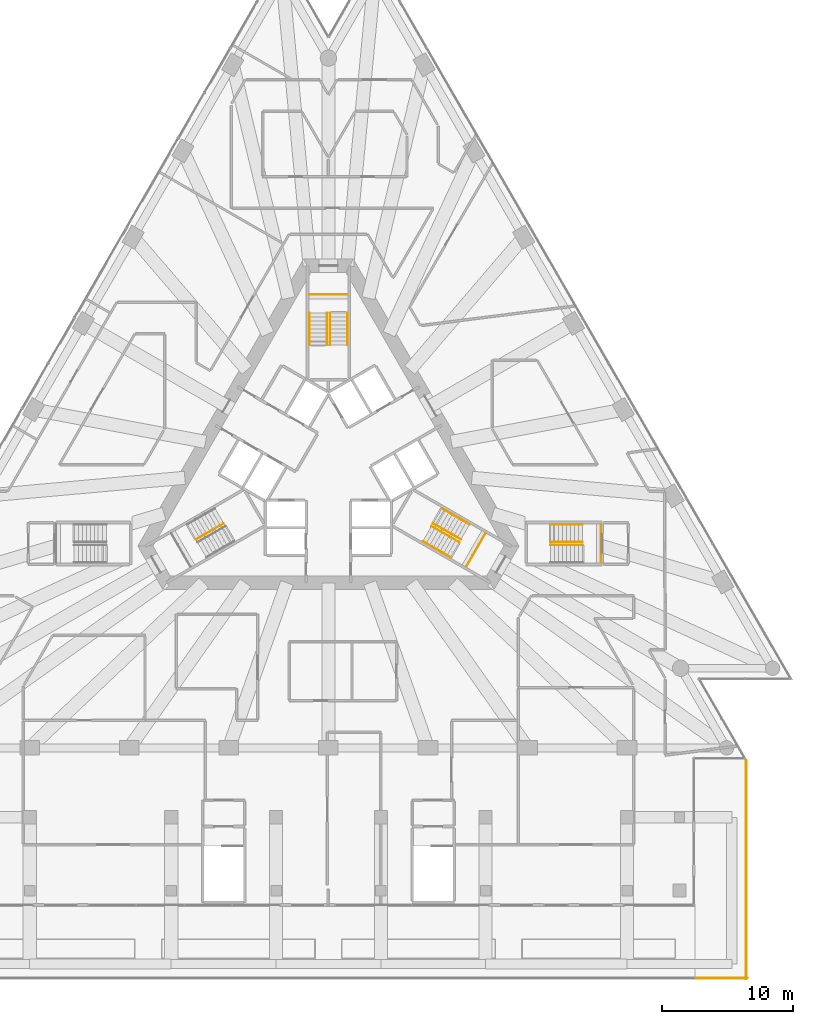
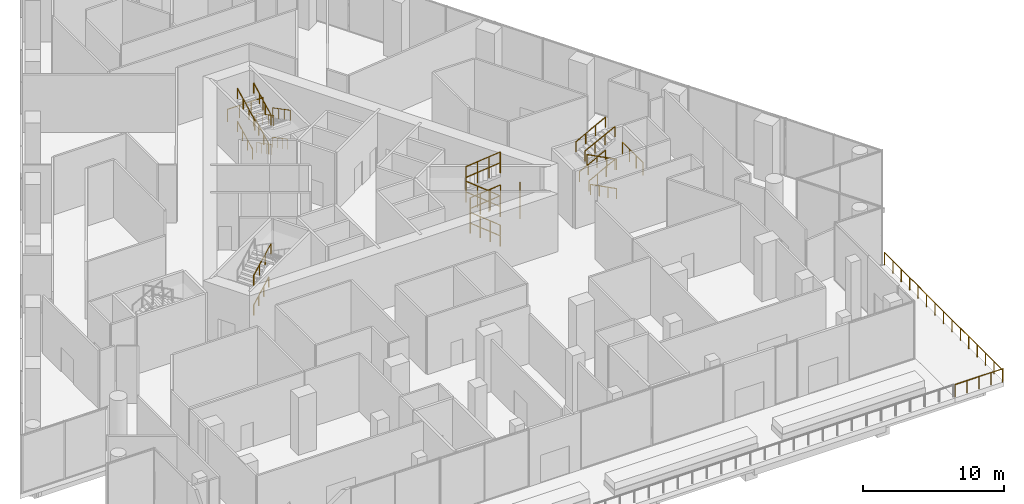
# One storey, part 29 of 29: 29 railings, 4 elements without a shape of their own.
"""IFC4 building model written with IfcOpenShell, lengths in metres."""

from ifc_helpers import new_model, si_unit, direction, frame, origin, origin_2d, place, context, subcontext, project, spatial, circle, extrude, material, type_object, element, aggregate, save


model = new_model("IFC4")

# Units and contexts
model_context = context("Model", 3, precision=1e-05, world=origin(), true_north=direction((0.0, 1.0)))
body_context = subcontext(model_context, "Body", "Model", "MODEL_VIEW")
ifc_project = project(units=[si_unit("LENGTHUNIT", "METRE"), si_unit("AREAUNIT", "SQUARE_METRE"), si_unit("VOLUMEUNIT", "CUBIC_METRE"), si_unit("PLANEANGLEUNIT", "RADIAN"), si_unit("MASSUNIT", "GRAM", prefix="KILO")], contexts=[model_context])

# Site, building, storey
site_placement = place(None, origin())
site = spatial("IfcSite", under=ifc_project, at=site_placement, CompositionType="ELEMENT")
building_placement = place(site_placement, origin())
building = spatial("IfcBuilding", under=site, at=building_placement, Name="Triada Interchange Tower", CompositionType="ELEMENT")
storey_placement = place(building_placement, frame((0.0, 0.0, 19.89990234375)))
storey = spatial("IfcBuildingStorey", under=building, at=storey_placement, Name="L03", CompositionType="ELEMENT", Elevation=19.89990234375)

# Stair, railing
ifc_material_1 = material(Name="Concrete C35/45", Category="concrete")
stair_type = type_object("IfcStairType", Name="HALF TURN STAIR 1400", PredefinedType="HALF_TURN_STAIR", material=ifc_material_1)
stair_1_placement = place(storey_placement, origin())
stair_1 = element("IfcStair", 1, at=stair_1_placement, inside=storey, type_object=stair_type, Name="Exit stair S03-1", PredefinedType="HALF_TURN_STAIR")
ifc_material_2 = material(Name="Stainless steel 1.4301", Category="steel")
railing_type_1 = type_object("IfcRailingType", Name="STAIR GUARD 1100", PredefinedType="GUARDRAIL", material=ifc_material_2)
railing_1_placement = place(storey_placement, frame((1.449951171875, 13.0, 2.541259765625)))
railing_1 = element("IfcRailing", 2, at=railing_1_placement, type_object=railing_type_1, Name="Guard S03-1 1", PredefinedType="GUARDRAIL", context=body_context, shape_type="SweptSolid", body=[
    extrude(circle(Radius=0.02392578125, at=origin_2d()), frame((0.0, 0.0, 1.076171875), z_axis=(-1.0, 0.0, 0.0), x_axis=(0.0, -1.0, 0.0)), (0.0, 0.0, 1.0), 2.89990234375),
    extrude(circle(Radius=0.02099609375, at=origin_2d()), origin(), (0.0, 0.0, 1.0), 1.052001953125),
    extrude(circle(Radius=0.02099609375, at=origin_2d()), frame((-0.966552734375, 0.0, 0.0)), (0.0, 0.0, 1.0), 1.052001953125),
    extrude(circle(Radius=0.02099609375, at=origin_2d()), frame((-1.933349609375, 0.0, 0.0)), (0.0, 0.0, 1.0), 1.052001953125),
    extrude(circle(Radius=0.02099609375, at=origin_2d()), frame((-2.89990234375, 0.0, 0.0)), (0.0, 0.0, 1.0), 1.052001953125),
])

stair_2_placement = place(storey_placement, origin())
stair_2 = element("IfcStair", 3, at=stair_2_placement, inside=storey, type_object=stair_type, Name="Exit stair S03-3", PredefinedType="HALF_TURN_STAIR")
railing_2_placement = place(storey_placement, frame((10.532958984375, -7.756103515625, 2.541259765625)))
railing_2 = element("IfcRailing", 4, at=railing_2_placement, type_object=railing_type_1, Name="Guard S03-3 1", PredefinedType="GUARDRAIL", context=body_context, shape_type="SweptSolid", body=[
    extrude(circle(Radius=0.02392578125, at=origin_2d()), frame((0.0, 0.0, 1.076171875), z_axis=(0.499877891294, 0.866095891802, 0.0), x_axis=(-0.866095891802, 0.499877891294, 0.0)), (0.0, 0.0, 1.0), 2.900634765625),
    extrude(circle(Radius=0.02099609375, at=origin_2d()), origin(), (0.0, 0.0, 1.0), 1.052001953125),
    extrude(circle(Radius=0.02099609375, at=origin_2d()), frame((0.4833984375, 0.83740234375, 0.0)), (0.0, 0.0, 1.0), 1.052001953125),
    extrude(circle(Radius=0.02099609375, at=origin_2d()), frame((0.966552734375, 1.6748046875, 0.0)), (0.0, 0.0, 1.0), 1.052001953125),
    extrude(circle(Radius=0.02099609375, at=origin_2d()), frame((1.449951171875, 2.51220703125, 0.0)), (0.0, 0.0, 1.0), 1.052001953125),
])

stair_3_placement = place(storey_placement, origin())
stair_3 = element("IfcStair", 5, at=stair_3_placement, inside=storey, type_object=stair_type, Name="Exit stair S03-7", PredefinedType="HALF_TURN_STAIR")
railing_3_placement = place(storey_placement, frame((20.800048828125, -7.449951171875, 2.541259765625)))
railing_3 = element("IfcRailing", 6, at=railing_3_placement, type_object=railing_type_1, Name="Guard S03-7 1", PredefinedType="GUARDRAIL", context=body_context, shape_type="SweptSolid", body=[
    extrude(circle(Radius=0.02392578125, at=origin_2d()), frame((0.0, 0.0, 1.076171875), z_axis=(0.0, 1.0, 0.0), x_axis=(-1.0, 0.0, 0.0)), (0.0, 0.0, 1.0), 2.89990234375),
    extrude(circle(Radius=0.02099609375, at=origin_2d()), origin(), (0.0, 0.0, 1.0), 1.052001953125),
    extrude(circle(Radius=0.02099609375, at=origin_2d()), frame((0.0, 0.966552734375, 0.0)), (0.0, 0.0, 1.0), 1.052001953125),
    extrude(circle(Radius=0.02099609375, at=origin_2d()), frame((0.0, 1.933349609375, 0.0)), (0.0, 0.0, 1.0), 1.052001953125),
    extrude(circle(Radius=0.02099609375, at=origin_2d()), frame((0.0, 2.89990234375, 0.0)), (0.0, 0.0, 1.0), 1.052001953125),
])

# Railing
railing_type_2 = type_object("IfcRailingType", Name="STAIR HANDRAIL 900", PredefinedType="HANDRAIL", material=ifc_material_2)
railing_4_placement = place(storey_placement, frame((1.449951171875, 11.60009765625, 0.158935546875)))
railing_4 = element("IfcRailing", 7, at=railing_4_placement, type_object=railing_type_2, Name="Handrail S03-1 1W", PredefinedType="HANDRAIL", context=body_context, shape_type="SweptSolid", body=[
    extrude(circle(Radius=0.02392578125, at=origin_2d()), frame((0.0, 0.0, 0.8759765625), z_axis=(0.0, -0.886942649844, 0.461879568598), x_axis=(1.0, 0.0, 0.0)), (0.0, 0.0, 1.0), 2.4072265625),
    extrude(circle(Radius=0.02099609375, at=origin_2d()), origin(), (0.0, 0.0, 1.0), 0.851806640625),
    extrude(circle(Radius=0.02099609375, at=origin_2d()), frame((0.0, -0.711669921875, 0.37060546875)), (0.0, 0.0, 1.0), 0.851806640625),
    extrude(circle(Radius=0.02099609375, at=origin_2d()), frame((0.0, -1.42333984375, 0.7412109375)), (0.0, 0.0, 1.0), 0.851806640625),
    extrude(circle(Radius=0.02099609375, at=origin_2d()), frame((0.0, -2.135009765625, 1.11181640625)), (0.0, 0.0, 1.0), 0.851806640625),
])

railing_5_placement = place(storey_placement, frame((0.1201171875, 11.60009765625, 0.158935546875)))
railing_5 = element("IfcRailing", 8, at=railing_5_placement, type_object=railing_type_2, Name="Handrail S03-1 1C", PredefinedType="HANDRAIL", context=body_context, shape_type="SweptSolid", body=[
    extrude(circle(Radius=0.02392578125, at=origin_2d()), frame((0.0, 0.0, 0.8759765625), z_axis=(0.0, -0.886942649844, 0.461879568598), x_axis=(1.0, 0.0, 0.0)), (0.0, 0.0, 1.0), 2.4072265625),
    extrude(circle(Radius=0.02099609375, at=origin_2d()), origin(), (0.0, 0.0, 1.0), 0.851806640625),
    extrude(circle(Radius=0.02099609375, at=origin_2d()), frame((0.0, -0.711669921875, 0.37060546875)), (0.0, 0.0, 1.0), 0.851806640625),
    extrude(circle(Radius=0.02099609375, at=origin_2d()), frame((0.0, -1.42333984375, 0.7412109375)), (0.0, 0.0, 1.0), 0.851806640625),
    extrude(circle(Radius=0.02099609375, at=origin_2d()), frame((0.0, -2.135009765625, 1.11181640625)), (0.0, 0.0, 1.0), 0.851806640625),
])

railing_6_placement = place(storey_placement, frame((-1.449951171875, 9.465087890625, 1.429443359375)))
railing_6 = element("IfcRailing", 9, at=railing_6_placement, type_object=railing_type_2, Name="Handrail S03-1 2W", PredefinedType="HANDRAIL", context=body_context, shape_type="SweptSolid", body=[
    extrude(circle(Radius=0.02392578125, at=origin_2d()), frame((0.0, 0.0, 0.8759765625), z_axis=(0.0, 0.886942649844, 0.461879568598), x_axis=(-1.0, 0.0, 0.0)), (0.0, 0.0, 1.0), 2.4072265625),
    extrude(circle(Radius=0.02099609375, at=origin_2d()), origin(), (0.0, 0.0, 1.0), 0.851806640625),
    extrude(circle(Radius=0.02099609375, at=origin_2d()), frame((0.0, 0.711669921875, 0.37060546875)), (0.0, 0.0, 1.0), 0.851806640625),
    extrude(circle(Radius=0.02099609375, at=origin_2d()), frame((0.0, 1.42333984375, 0.7412109375)), (0.0, 0.0, 1.0), 0.851806640625),
    extrude(circle(Radius=0.02099609375, at=origin_2d()), frame((0.0, 2.135009765625, 1.11181640625)), (0.0, 0.0, 1.0), 0.851806640625),
])

railing_7_placement = place(storey_placement, frame((-0.1201171875, 9.465087890625, 1.429443359375)))
railing_7 = element("IfcRailing", 10, at=railing_7_placement, type_object=railing_type_2, Name="Handrail S03-1 2C", PredefinedType="HANDRAIL", context=body_context, shape_type="SweptSolid", body=[
    extrude(circle(Radius=0.02392578125, at=origin_2d()), frame((0.0, 0.0, 0.8759765625), z_axis=(0.0, 0.886942649844, 0.461879568598), x_axis=(-1.0, 0.0, 0.0)), (0.0, 0.0, 1.0), 2.4072265625),
    extrude(circle(Radius=0.02099609375, at=origin_2d()), origin(), (0.0, 0.0, 1.0), 0.851806640625),
    extrude(circle(Radius=0.02099609375, at=origin_2d()), frame((0.0, 0.711669921875, 0.37060546875)), (0.0, 0.0, 1.0), 0.851806640625),
    extrude(circle(Radius=0.02099609375, at=origin_2d()), frame((0.0, 1.42333984375, 0.7412109375)), (0.0, 0.0, 1.0), 0.851806640625),
    extrude(circle(Radius=0.02099609375, at=origin_2d()), frame((0.0, 2.135009765625, 1.11181640625)), (0.0, 0.0, 1.0), 0.851806640625),
])

railing_8_placement = place(storey_placement, frame((1.449951171875, 11.60009765625, 2.699951171875)))
railing_8 = element("IfcRailing", 11, at=railing_8_placement, type_object=railing_type_2, Name="Handrail S03-1 3W", PredefinedType="HANDRAIL", context=body_context, shape_type="SweptSolid", body=[
    extrude(circle(Radius=0.02392578125, at=origin_2d()), frame((0.0, 0.0, 0.8759765625), z_axis=(0.0, -0.886940592138, 0.461883519968), x_axis=(1.0, 0.0, 0.0)), (0.0, 0.0, 1.0), 2.751220703125),
    extrude(circle(Radius=0.02099609375, at=origin_2d()), origin(), (0.0, 0.0, 1.0), 0.851806640625),
    extrude(circle(Radius=0.02099609375, at=origin_2d()), frame((0.0, -0.8134765625, 0.423583984375)), (0.0, 0.0, 1.0), 0.851806640625),
    extrude(circle(Radius=0.02099609375, at=origin_2d()), frame((0.0, -1.626708984375, 0.84716796875)), (0.0, 0.0, 1.0), 0.851806640625),
    extrude(circle(Radius=0.02099609375, at=origin_2d()), frame((0.0, -2.440185546875, 1.270751953125)), (0.0, 0.0, 1.0), 0.851806640625),
])

railing_9_placement = place(storey_placement, frame((0.1201171875, 11.60009765625, 2.699951171875)))
railing_9 = element("IfcRailing", 12, at=railing_9_placement, type_object=railing_type_2, Name="Handrail S03-1 3C", PredefinedType="HANDRAIL", context=body_context, shape_type="SweptSolid", body=[
    extrude(circle(Radius=0.02392578125, at=origin_2d()), frame((0.0, 0.0, 0.8759765625), z_axis=(0.0, -0.886940592138, 0.461883519968), x_axis=(1.0, 0.0, 0.0)), (0.0, 0.0, 1.0), 2.751220703125),
    extrude(circle(Radius=0.02099609375, at=origin_2d()), origin(), (0.0, 0.0, 1.0), 0.851806640625),
    extrude(circle(Radius=0.02099609375, at=origin_2d()), frame((0.0, -0.8134765625, 0.423583984375)), (0.0, 0.0, 1.0), 0.851806640625),
    extrude(circle(Radius=0.02099609375, at=origin_2d()), frame((0.0, -1.626708984375, 0.84716796875)), (0.0, 0.0, 1.0), 0.851806640625),
    extrude(circle(Radius=0.02099609375, at=origin_2d()), frame((0.0, -2.440185546875, 1.270751953125)), (0.0, 0.0, 1.0), 0.851806640625),
])

railing_10_placement = place(storey_placement, frame((-1.449951171875, 9.159912109375, 4.12939453125)))
railing_10 = element("IfcRailing", 13, at=railing_10_placement, type_object=railing_type_2, Name="Handrail S03-1 4W", PredefinedType="HANDRAIL", context=body_context, shape_type="SweptSolid", body=[
    extrude(circle(Radius=0.02392578125, at=origin_2d()), frame((0.0, 0.0, 0.8759765625), z_axis=(0.0, 0.886976943753, 0.461813708383), x_axis=(-1.0, 0.0, 0.0)), (0.0, 0.0, 1.0), 2.751220703125),
    extrude(circle(Radius=0.02099609375, at=origin_2d()), origin(), (0.0, 0.0, 1.0), 0.851806640625),
    extrude(circle(Radius=0.02099609375, at=origin_2d()), frame((0.0, 0.8134765625, 0.423583984375)), (0.0, 0.0, 1.0), 0.851806640625),
    extrude(circle(Radius=0.02099609375, at=origin_2d()), frame((0.0, 1.626708984375, 0.846923828125)), (0.0, 0.0, 1.0), 0.851806640625),
    extrude(circle(Radius=0.02099609375, at=origin_2d()), frame((0.0, 2.440185546875, 1.2705078125)), (0.0, 0.0, 1.0), 0.851806640625),
])

railing_11_placement = place(storey_placement, frame((-0.1201171875, 9.159912109375, 4.12939453125)))
railing_11 = element("IfcRailing", 14, at=railing_11_placement, type_object=railing_type_2, Name="Handrail S03-1 4C", PredefinedType="HANDRAIL", context=body_context, shape_type="SweptSolid", body=[
    extrude(circle(Radius=0.02392578125, at=origin_2d()), frame((0.0, 0.0, 0.8759765625), z_axis=(0.0, 0.886976943753, 0.461813708383), x_axis=(-1.0, 0.0, 0.0)), (0.0, 0.0, 1.0), 2.751220703125),
    extrude(circle(Radius=0.02099609375, at=origin_2d()), origin(), (0.0, 0.0, 1.0), 0.851806640625),
    extrude(circle(Radius=0.02099609375, at=origin_2d()), frame((0.0, 0.8134765625, 0.423583984375)), (0.0, 0.0, 1.0), 0.851806640625),
    extrude(circle(Radius=0.02099609375, at=origin_2d()), frame((0.0, 1.626708984375, 0.846923828125)), (0.0, 0.0, 1.0), 0.851806640625),
    extrude(circle(Radius=0.02099609375, at=origin_2d()), frame((0.0, 2.440185546875, 1.2705078125)), (0.0, 0.0, 1.0), 0.851806640625),
])

aggregate(stair_1, [railing_4, railing_5, railing_6, railing_7, railing_8, railing_9, railing_10, railing_11, railing_1])

# Stair, railings
stair_4_placement = place(storey_placement, origin())
stair_4 = element("IfcStair", 15, at=stair_4_placement, inside=storey, type_object=stair_type, Name="Exit stair S03-2", PredefinedType="HALF_TURN_STAIR")
railing_12_placement = place(storey_placement, frame((-10.10595703125, -5.696044921875, 0.158935546875)))
railing_12 = element("IfcRailing", 16, at=railing_12_placement, type_object=railing_type_2, Name="Handrail S03-2 1C", PredefinedType="HANDRAIL", context=body_context, shape_type="SweptSolid", body=[
    extrude(circle(Radius=0.02392578125, at=origin_2d()), frame((0.0, 0.0, 0.8759765625), z_axis=(0.768012174105, 0.443688533172, 0.461841732586), x_axis=(-0.500233783454, 0.865890386765, 0.0)), (0.0, 0.0, 1.0), 2.407470703125),
    extrude(circle(Radius=0.02099609375, at=origin_2d()), origin(), (0.0, 0.0, 1.0), 0.851806640625),
    extrude(circle(Radius=0.02099609375, at=origin_2d()), frame((0.6162109375, 0.35595703125, 0.37060546875)), (0.0, 0.0, 1.0), 0.851806640625),
    extrude(circle(Radius=0.02099609375, at=origin_2d()), frame((1.232666015625, 0.712158203125, 0.7412109375)), (0.0, 0.0, 1.0), 0.851806640625),
    extrude(circle(Radius=0.02099609375, at=origin_2d()), frame((1.848876953125, 1.068115234375, 1.11181640625)), (0.0, 0.0, 1.0), 0.851806640625),
])
railing_13_placement = place(storey_placement, frame((-10.10595703125, -5.696044921875, 2.699951171875)))
railing_13 = element("IfcRailing", 17, at=railing_13_placement, type_object=railing_type_2, Name="Handrail S03-2 3C", PredefinedType="HANDRAIL", context=body_context, shape_type="SweptSolid", body=[
    extrude(circle(Radius=0.02392578125, at=origin_2d()), frame((0.0, 0.0, 0.8759765625), z_axis=(0.768094581308, 0.443462579179, 0.461921697945), x_axis=(-0.500002508028, 0.866023955769, 0.0)), (0.0, 0.0, 1.0), 2.7509765625),
    extrude(circle(Radius=0.02099609375, at=origin_2d()), origin(), (0.0, 0.0, 1.0), 0.851806640625),
    extrude(circle(Radius=0.02099609375, at=origin_2d()), frame((0.704345703125, 0.40673828125, 0.423583984375)), (0.0, 0.0, 1.0), 0.851806640625),
    extrude(circle(Radius=0.02099609375, at=origin_2d()), frame((1.40869140625, 0.813232421875, 0.84716796875)), (0.0, 0.0, 1.0), 0.851806640625),
    extrude(circle(Radius=0.02099609375, at=origin_2d()), frame((2.113037109375, 1.219970703125, 1.270751953125)), (0.0, 0.0, 1.0), 0.851806640625),
])
aggregate(stair_4, [railing_12, railing_13])

# Railing
railing_14_placement = place(storey_placement, frame((9.321044921875, -7.055908203125, 0.158935546875)))
railing_14 = element("IfcRailing", 18, at=railing_14_placement, type_object=railing_type_2, Name="Handrail S03-3 1W", PredefinedType="HANDRAIL", context=body_context, shape_type="SweptSolid", body=[
    extrude(circle(Radius=0.02392578125, at=origin_2d()), frame((0.0, 0.0, 0.8759765625), z_axis=(-0.768088317853, 0.443572524728, 0.461826538091), x_axis=(-0.50009852965, -0.86596851019, 0.0)), (0.0, 0.0, 1.0), 2.407470703125),
    extrude(circle(Radius=0.02099609375, at=origin_2d()), origin(), (0.0, 0.0, 1.0), 0.851806640625),
    extrude(circle(Radius=0.02099609375, at=origin_2d()), frame((-0.616455078125, 0.35595703125, 0.37060546875)), (0.0, 0.0, 1.0), 0.851806640625),
    extrude(circle(Radius=0.02099609375, at=origin_2d()), frame((-1.232666015625, 0.7119140625, 0.7412109375)), (0.0, 0.0, 1.0), 0.851806640625),
    extrude(circle(Radius=0.02099609375, at=origin_2d()), frame((-1.84912109375, 1.06787109375, 1.11181640625)), (0.0, 0.0, 1.0), 0.851806640625),
])

railing_15_placement = place(storey_placement, frame((9.986083984375, -5.904052734375, 0.158935546875)))
railing_15 = element("IfcRailing", 19, at=railing_15_placement, type_object=railing_type_2, Name="Handrail S03-3 1C", PredefinedType="HANDRAIL", context=body_context, shape_type="SweptSolid", body=[
    extrude(circle(Radius=0.02392578125, at=origin_2d()), frame((0.0, 0.0, 0.8759765625), z_axis=(-0.768191956526, 0.44332810166, 0.461888852656), x_axis=(-0.499841244933, -0.866117041666, 0.0)), (0.0, 0.0, 1.0), 2.4072265625),
    extrude(circle(Radius=0.02099609375, at=origin_2d()), origin(), (0.0, 0.0, 1.0), 0.851806640625),
    extrude(circle(Radius=0.02099609375, at=origin_2d()), frame((-0.616455078125, 0.355712890625, 0.37060546875)), (0.0, 0.0, 1.0), 0.851806640625),
    extrude(circle(Radius=0.02099609375, at=origin_2d()), frame((-1.232666015625, 0.71142578125, 0.7412109375)), (0.0, 0.0, 1.0), 0.851806640625),
    extrude(circle(Radius=0.02099609375, at=origin_2d()), frame((-1.84912109375, 1.067138671875, 1.11181640625)), (0.0, 0.0, 1.0), 0.851806640625),
])

railing_16_placement = place(storey_placement, frame((8.922119140625, -3.47705078125, 1.429443359375)))
railing_16 = element("IfcRailing", 20, at=railing_16_placement, type_object=railing_type_2, Name="Handrail S03-3 2W", PredefinedType="HANDRAIL", context=body_context, shape_type="SweptSolid", body=[
    extrude(circle(Radius=0.02392578125, at=origin_2d()), frame((0.0, 0.0, 0.8759765625), z_axis=(0.768046730317, -0.443607077566, 0.461862512857), x_axis=(0.500148048473, 0.865939911084, 0.0)), (0.0, 0.0, 1.0), 2.4072265625),
    extrude(circle(Radius=0.02099609375, at=origin_2d()), origin(), (0.0, 0.0, 1.0), 0.851806640625),
    extrude(circle(Radius=0.02099609375, at=origin_2d()), frame((0.6162109375, -0.35595703125, 0.37060546875)), (0.0, 0.0, 1.0), 0.851806640625),
    extrude(circle(Radius=0.02099609375, at=origin_2d()), frame((1.232666015625, -0.7119140625, 0.7412109375)), (0.0, 0.0, 1.0), 0.851806640625),
    extrude(circle(Radius=0.02099609375, at=origin_2d()), frame((1.848876953125, -1.06787109375, 1.11181640625)), (0.0, 0.0, 1.0), 0.851806640625),
])

railing_17_placement = place(storey_placement, frame((8.257080078125, -4.62890625, 1.429443359375)))
railing_17 = element("IfcRailing", 21, at=railing_17_placement, type_object=railing_type_2, Name="Handrail S03-3 2C", PredefinedType="HANDRAIL", context=body_context, shape_type="SweptSolid", body=[
    extrude(circle(Radius=0.02392578125, at=origin_2d()), frame((0.0, 0.0, 0.8759765625), z_axis=(0.768150379528, -0.44336264478, 0.461924841987), x_axis=(0.499890755261, 0.866088467077, 0.0)), (0.0, 0.0, 1.0), 2.406982421875),
    extrude(circle(Radius=0.02099609375, at=origin_2d()), origin(), (0.0, 0.0, 1.0), 0.851806640625),
    extrude(circle(Radius=0.02099609375, at=origin_2d()), frame((0.6162109375, -0.355712890625, 0.37060546875)), (0.0, 0.0, 1.0), 0.851806640625),
    extrude(circle(Radius=0.02099609375, at=origin_2d()), frame((1.232666015625, -0.71142578125, 0.7412109375)), (0.0, 0.0, 1.0), 0.851806640625),
    extrude(circle(Radius=0.02099609375, at=origin_2d()), frame((1.848876953125, -1.067138671875, 1.11181640625)), (0.0, 0.0, 1.0), 0.851806640625),
])

railing_18_placement = place(storey_placement, frame((9.321044921875, -7.055908203125, 2.699951171875)))
railing_18 = element("IfcRailing", 22, at=railing_18_placement, type_object=railing_type_2, Name="Handrail S03-3 3W", PredefinedType="HANDRAIL", context=body_context, shape_type="SweptSolid", body=[
    extrude(circle(Radius=0.02392578125, at=origin_2d()), frame((0.0, 0.0, 0.8759765625), z_axis=(-0.768094581308, 0.443462579179, 0.461921697945), x_axis=(-0.500002508028, -0.866023955769, 0.0)), (0.0, 0.0, 1.0), 2.7509765625),
    extrude(circle(Radius=0.02099609375, at=origin_2d()), origin(), (0.0, 0.0, 1.0), 0.851806640625),
    extrude(circle(Radius=0.02099609375, at=origin_2d()), frame((-0.704345703125, 0.40673828125, 0.423583984375)), (0.0, 0.0, 1.0), 0.851806640625),
    extrude(circle(Radius=0.02099609375, at=origin_2d()), frame((-1.40869140625, 0.813232421875, 0.84716796875)), (0.0, 0.0, 1.0), 0.851806640625),
    extrude(circle(Radius=0.02099609375, at=origin_2d()), frame((-2.113037109375, 1.219970703125, 1.270751953125)), (0.0, 0.0, 1.0), 0.851806640625),
])

railing_19_placement = place(storey_placement, frame((9.986083984375, -5.904052734375, 2.699951171875)))
railing_19 = element("IfcRailing", 23, at=railing_19_placement, type_object=railing_type_2, Name="Handrail S03-3 3C", PredefinedType="HANDRAIL", context=body_context, shape_type="SweptSolid", body=[
    extrude(circle(Radius=0.02392578125, at=origin_2d()), frame((0.0, 0.0, 0.8759765625), z_axis=(-0.768094581308, 0.443462579179, 0.461921697945), x_axis=(-0.500002508028, -0.866023955769, 0.0)), (0.0, 0.0, 1.0), 2.7509765625),
    extrude(circle(Radius=0.02099609375, at=origin_2d()), origin(), (0.0, 0.0, 1.0), 0.851806640625),
    extrude(circle(Radius=0.02099609375, at=origin_2d()), frame((-0.704345703125, 0.40673828125, 0.423583984375)), (0.0, 0.0, 1.0), 0.851806640625),
    extrude(circle(Radius=0.02099609375, at=origin_2d()), frame((-1.40869140625, 0.813232421875, 0.84716796875)), (0.0, 0.0, 1.0), 0.851806640625),
    extrude(circle(Radius=0.02099609375, at=origin_2d()), frame((-2.113037109375, 1.219970703125, 1.270751953125)), (0.0, 0.0, 1.0), 0.851806640625),
])

railing_20_placement = place(storey_placement, frame((8.657958984375, -3.323974609375, 4.12939453125)))
railing_20 = element("IfcRailing", 24, at=railing_20_placement, type_object=railing_type_2, Name="Handrail S03-3 4W", PredefinedType="HANDRAIL", context=body_context, shape_type="SweptSolid", body=[
    extrude(circle(Radius=0.02392578125, at=origin_2d()), frame((0.0, 0.0, 0.8759765625), z_axis=(0.768126067177, -0.443480757676, 0.461851883719), x_axis=(0.500002508028, 0.866023955769, 0.0)), (0.0, 0.0, 1.0), 2.7509765625),
    extrude(circle(Radius=0.02099609375, at=origin_2d()), origin(), (0.0, 0.0, 1.0), 0.851806640625),
    extrude(circle(Radius=0.02099609375, at=origin_2d()), frame((0.704345703125, -0.40673828125, 0.423583984375)), (0.0, 0.0, 1.0), 0.851806640625),
    extrude(circle(Radius=0.02099609375, at=origin_2d()), frame((1.40869140625, -0.813232421875, 0.846923828125)), (0.0, 0.0, 1.0), 0.851806640625),
    extrude(circle(Radius=0.02099609375, at=origin_2d()), frame((2.113037109375, -1.219970703125, 1.2705078125)), (0.0, 0.0, 1.0), 0.851806640625),
])

railing_21_placement = place(storey_placement, frame((7.992919921875, -4.47607421875, 4.12939453125)))
railing_21 = element("IfcRailing", 25, at=railing_21_placement, type_object=railing_type_2, Name="Handrail S03-3 4C", PredefinedType="HANDRAIL", context=body_context, shape_type="SweptSolid", body=[
    extrude(circle(Radius=0.02392578125, at=origin_2d()), frame((0.0, 0.0, 0.8759765625), z_axis=(0.768126067177, -0.443480757676, 0.461851883719), x_axis=(0.500002508028, 0.866023955769, 0.0)), (0.0, 0.0, 1.0), 2.7509765625),
    extrude(circle(Radius=0.02099609375, at=origin_2d()), origin(), (0.0, 0.0, 1.0), 0.851806640625),
    extrude(circle(Radius=0.02099609375, at=origin_2d()), frame((0.704345703125, -0.40673828125, 0.423583984375)), (0.0, 0.0, 1.0), 0.851806640625),
    extrude(circle(Radius=0.02099609375, at=origin_2d()), frame((1.40869140625, -0.813232421875, 0.846923828125)), (0.0, 0.0, 1.0), 0.851806640625),
    extrude(circle(Radius=0.02099609375, at=origin_2d()), frame((2.113037109375, -1.219970703125, 1.2705078125)), (0.0, 0.0, 1.0), 0.851806640625),
])

aggregate(stair_2, [railing_14, railing_15, railing_16, railing_17, railing_18, railing_19, railing_20, railing_21, railing_2])

railing_22_placement = place(storey_placement, frame((19.39990234375, -6.1201171875, 0.158935546875)))
railing_22 = element("IfcRailing", 26, at=railing_22_placement, type_object=railing_type_2, Name="Handrail S03-7 1C", PredefinedType="HANDRAIL", context=body_context, shape_type="SweptSolid", body=[
    extrude(circle(Radius=0.02392578125, at=origin_2d()), frame((0.0, 0.0, 0.8759765625), z_axis=(-0.886942649844, 0.0, 0.461879568598), x_axis=(0.0, -1.0, 0.0)), (0.0, 0.0, 1.0), 2.4072265625),
    extrude(circle(Radius=0.02099609375, at=origin_2d()), origin(), (0.0, 0.0, 1.0), 0.851806640625),
    extrude(circle(Radius=0.02099609375, at=origin_2d()), frame((-0.711669921875, 0.0, 0.37060546875)), (0.0, 0.0, 1.0), 0.851806640625),
    extrude(circle(Radius=0.02099609375, at=origin_2d()), frame((-1.42333984375, 0.0, 0.7412109375)), (0.0, 0.0, 1.0), 0.851806640625),
    extrude(circle(Radius=0.02099609375, at=origin_2d()), frame((-2.135009765625, 0.0, 1.11181640625)), (0.0, 0.0, 1.0), 0.851806640625),
])

railing_23_placement = place(storey_placement, frame((17.264892578125, -4.550048828125, 1.429443359375)))
railing_23 = element("IfcRailing", 27, at=railing_23_placement, type_object=railing_type_2, Name="Handrail S03-7 2W", PredefinedType="HANDRAIL", context=body_context, shape_type="SweptSolid", body=[
    extrude(circle(Radius=0.02392578125, at=origin_2d()), frame((0.0, 0.0, 0.8759765625), z_axis=(0.886942649844, 0.0, 0.461879568598), x_axis=(0.0, 1.0, 0.0)), (0.0, 0.0, 1.0), 2.4072265625),
    extrude(circle(Radius=0.02099609375, at=origin_2d()), origin(), (0.0, 0.0, 1.0), 0.851806640625),
    extrude(circle(Radius=0.02099609375, at=origin_2d()), frame((0.711669921875, 0.0, 0.37060546875)), (0.0, 0.0, 1.0), 0.851806640625),
    extrude(circle(Radius=0.02099609375, at=origin_2d()), frame((1.42333984375, 0.0, 0.7412109375)), (0.0, 0.0, 1.0), 0.851806640625),
    extrude(circle(Radius=0.02099609375, at=origin_2d()), frame((2.135009765625, 0.0, 1.11181640625)), (0.0, 0.0, 1.0), 0.851806640625),
])

railing_24_placement = place(storey_placement, frame((17.264892578125, -5.8798828125, 1.429443359375)))
railing_24 = element("IfcRailing", 28, at=railing_24_placement, type_object=railing_type_2, Name="Handrail S03-7 2C", PredefinedType="HANDRAIL", context=body_context, shape_type="SweptSolid", body=[
    extrude(circle(Radius=0.02392578125, at=origin_2d()), frame((0.0, 0.0, 0.8759765625), z_axis=(0.886942649844, 0.0, 0.461879568598), x_axis=(0.0, 1.0, 0.0)), (0.0, 0.0, 1.0), 2.4072265625),
    extrude(circle(Radius=0.02099609375, at=origin_2d()), origin(), (0.0, 0.0, 1.0), 0.851806640625),
    extrude(circle(Radius=0.02099609375, at=origin_2d()), frame((0.711669921875, 0.0, 0.37060546875)), (0.0, 0.0, 1.0), 0.851806640625),
    extrude(circle(Radius=0.02099609375, at=origin_2d()), frame((1.42333984375, 0.0, 0.7412109375)), (0.0, 0.0, 1.0), 0.851806640625),
    extrude(circle(Radius=0.02099609375, at=origin_2d()), frame((2.135009765625, 0.0, 1.11181640625)), (0.0, 0.0, 1.0), 0.851806640625),
])

railing_25_placement = place(storey_placement, frame((19.39990234375, -6.1201171875, 2.699951171875)))
railing_25 = element("IfcRailing", 29, at=railing_25_placement, type_object=railing_type_2, Name="Handrail S03-7 3C", PredefinedType="HANDRAIL", context=body_context, shape_type="SweptSolid", body=[
    extrude(circle(Radius=0.02392578125, at=origin_2d()), frame((0.0, 0.0, 0.8759765625), z_axis=(-0.886921658767, 0.0, 0.461919875314), x_axis=(0.0, -1.0, 0.0)), (0.0, 0.0, 1.0), 2.7509765625),
    extrude(circle(Radius=0.02099609375, at=origin_2d()), origin(), (0.0, 0.0, 1.0), 0.851806640625),
    extrude(circle(Radius=0.02099609375, at=origin_2d()), frame((-0.813232421875, 0.0, 0.423583984375)), (0.0, 0.0, 1.0), 0.851806640625),
    extrude(circle(Radius=0.02099609375, at=origin_2d()), frame((-1.626708984375, 0.0, 0.84716796875)), (0.0, 0.0, 1.0), 0.851806640625),
    extrude(circle(Radius=0.02099609375, at=origin_2d()), frame((-2.43994140625, 0.0, 1.270751953125)), (0.0, 0.0, 1.0), 0.851806640625),
])

railing_26_placement = place(storey_placement, frame((16.9599609375, -4.550048828125, 4.12939453125)))
railing_26 = element("IfcRailing", 30, at=railing_26_placement, type_object=railing_type_2, Name="Handrail S03-7 4W", PredefinedType="HANDRAIL", context=body_context, shape_type="SweptSolid", body=[
    extrude(circle(Radius=0.02392578125, at=origin_2d()), frame((0.0, 0.0, 0.8759765625), z_axis=(0.886958015329, 0.0, 0.461850061214), x_axis=(0.0, 1.0, 0.0)), (0.0, 0.0, 1.0), 2.7509765625),
    extrude(circle(Radius=0.02099609375, at=origin_2d()), origin(), (0.0, 0.0, 1.0), 0.851806640625),
    extrude(circle(Radius=0.02099609375, at=origin_2d()), frame((0.813232421875, 0.0, 0.423583984375)), (0.0, 0.0, 1.0), 0.851806640625),
    extrude(circle(Radius=0.02099609375, at=origin_2d()), frame((1.626708984375, 0.0, 0.846923828125)), (0.0, 0.0, 1.0), 0.851806640625),
    extrude(circle(Radius=0.02099609375, at=origin_2d()), frame((2.43994140625, 0.0, 1.2705078125)), (0.0, 0.0, 1.0), 0.851806640625),
])

railing_27_placement = place(storey_placement, frame((16.9599609375, -5.8798828125, 4.12939453125)))
railing_27 = element("IfcRailing", 31, at=railing_27_placement, type_object=railing_type_2, Name="Handrail S03-7 4C", PredefinedType="HANDRAIL", context=body_context, shape_type="SweptSolid", body=[
    extrude(circle(Radius=0.02392578125, at=origin_2d()), frame((0.0, 0.0, 0.8759765625), z_axis=(0.886958015329, 0.0, 0.461850061214), x_axis=(0.0, 1.0, 0.0)), (0.0, 0.0, 1.0), 2.7509765625),
    extrude(circle(Radius=0.02099609375, at=origin_2d()), origin(), (0.0, 0.0, 1.0), 0.851806640625),
    extrude(circle(Radius=0.02099609375, at=origin_2d()), frame((0.813232421875, 0.0, 0.423583984375)), (0.0, 0.0, 1.0), 0.851806640625),
    extrude(circle(Radius=0.02099609375, at=origin_2d()), frame((1.626708984375, 0.0, 0.846923828125)), (0.0, 0.0, 1.0), 0.851806640625),
    extrude(circle(Radius=0.02099609375, at=origin_2d()), frame((2.43994140625, 0.0, 1.2705078125)), (0.0, 0.0, 1.0), 0.851806640625),
])

aggregate(stair_3, [railing_22, railing_23, railing_24, railing_25, railing_26, railing_27, railing_3])

# Railings
railing_type_3 = type_object("IfcRailingType", Name="Terrace guard 1100", PredefinedType="GUARDRAIL", material=ifc_material_2)
railing_28_placement = place(storey_placement, frame((28.050048828125, -39.179931640625, 0.0)))
element("IfcRailing", 32, at=railing_28_placement, inside=storey, type_object=railing_type_3, Name="Guard L03 terrace 17", PredefinedType="GUARDRAIL", context=body_context, shape_type="SweptSolid", body=[
    extrude(circle(Radius=0.02392578125, at=origin_2d()), frame((0.0, 0.0, 1.076171875), z_axis=(1.0, 0.0, 0.0), x_axis=(0.0, 1.0, 0.0)), (0.0, 0.0, 1.0), 3.949951171875),
    extrude(circle(Radius=0.02099609375, at=origin_2d()), origin(), (0.0, 0.0, 1.0), 1.052001953125),
    extrude(circle(Radius=0.02099609375, at=origin_2d()), frame((0.987548828125, 0.0, 0.0)), (0.0, 0.0, 1.0), 1.052001953125),
    extrude(circle(Radius=0.02099609375, at=origin_2d()), frame((1.97509765625, 0.0, 0.0)), (0.0, 0.0, 1.0), 1.052001953125),
    extrude(circle(Radius=0.02099609375, at=origin_2d()), frame((2.96240234375, 0.0, 0.0)), (0.0, 0.0, 1.0), 1.052001953125),
    extrude(circle(Radius=0.02099609375, at=origin_2d()), frame((3.949951171875, 0.0, 0.0)), (0.0, 0.0, 1.0), 1.052001953125),
])
railing_29_placement = place(storey_placement, frame((31.8798828125, -39.300048828125, 0.0)))
element("IfcRailing", 33, at=railing_29_placement, inside=storey, type_object=railing_type_3, Name="Guard L03 terrace 18", PredefinedType="GUARDRAIL", context=body_context, shape_type="SweptSolid", body=[
    extrude(circle(Radius=0.02392578125, at=origin_2d()), frame((0.0, 0.0, 1.076171875), z_axis=(0.0, 1.0, 0.0), x_axis=(-1.0, 0.0, 0.0)), (0.0, 0.0, 1.0), 16.776123046875),
    extrude(circle(Radius=0.02099609375, at=origin_2d()), origin(), (0.0, 0.0, 1.0), 1.052001953125),
    extrude(circle(Radius=0.02099609375, at=origin_2d()), frame((0.0, 1.1982421875, 0.0)), (0.0, 0.0, 1.0), 1.052001953125),
    extrude(circle(Radius=0.02099609375, at=origin_2d()), frame((0.0, 2.396484375, 0.0)), (0.0, 0.0, 1.0), 1.052001953125),
    extrude(circle(Radius=0.02099609375, at=origin_2d()), frame((0.0, 3.594970703125, 0.0)), (0.0, 0.0, 1.0), 1.052001953125),
    extrude(circle(Radius=0.02099609375, at=origin_2d()), frame((0.0, 4.793212890625, 0.0)), (0.0, 0.0, 1.0), 1.052001953125),
    extrude(circle(Radius=0.02099609375, at=origin_2d()), frame((0.0, 5.991455078125, 0.0)), (0.0, 0.0, 1.0), 1.052001953125),
    extrude(circle(Radius=0.02099609375, at=origin_2d()), frame((0.0, 7.189697265625, 0.0)), (0.0, 0.0, 1.0), 1.052001953125),
    extrude(circle(Radius=0.02099609375, at=origin_2d()), frame((0.0, 8.38818359375, 0.0)), (0.0, 0.0, 1.0), 1.052001953125),
    extrude(circle(Radius=0.02099609375, at=origin_2d()), frame((0.0, 9.58642578125, 0.0)), (0.0, 0.0, 1.0), 1.052001953125),
    extrude(circle(Radius=0.02099609375, at=origin_2d()), frame((0.0, 10.78466796875, 0.0)), (0.0, 0.0, 1.0), 1.052001953125),
    extrude(circle(Radius=0.02099609375, at=origin_2d()), frame((0.0, 11.98291015625, 0.0)), (0.0, 0.0, 1.0), 1.052001953125),
    extrude(circle(Radius=0.02099609375, at=origin_2d()), frame((0.0, 13.18115234375, 0.0)), (0.0, 0.0, 1.0), 1.052001953125),
    extrude(circle(Radius=0.02099609375, at=origin_2d()), frame((0.0, 14.379638671875, 0.0)), (0.0, 0.0, 1.0), 1.052001953125),
    extrude(circle(Radius=0.02099609375, at=origin_2d()), frame((0.0, 15.577880859375, 0.0)), (0.0, 0.0, 1.0), 1.052001953125),
    extrude(circle(Radius=0.02099609375, at=origin_2d()), frame((0.0, 16.776123046875, 0.0)), (0.0, 0.0, 1.0), 1.052001953125),
])

save(model, "model.ifc")
